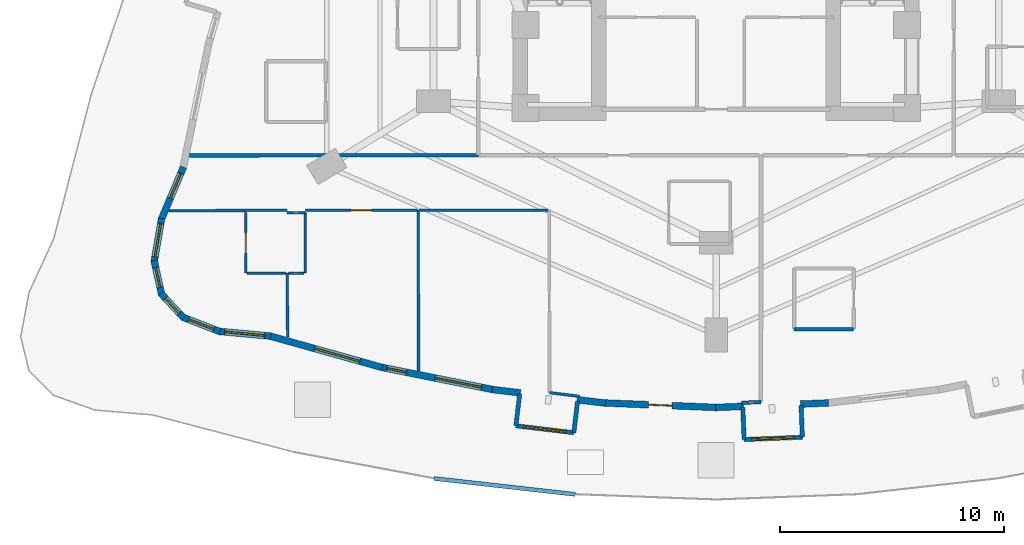
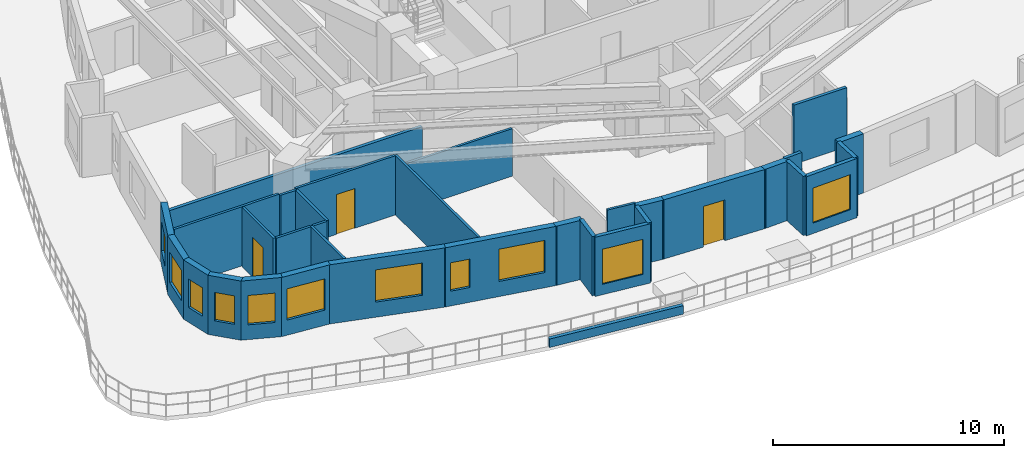
# One storey, part 8 of 17: 34 walls, 11 windows, 3 doors, 14 openings.
"""IFC4 building model written with IfcOpenShell, lengths in metres."""

import ifcopenshell
import ifcopenshell.guid

model = None  # the IFC model being written
_history = None  # IfcOwnerHistory: only IFC2X3 demands one
_inside = {}  # id of a spatial element -> (the spatial element, [elements in it])
_under = {}  # id of a project, library or spatial element -> (it, [spatial elements below it])
_declared = {}  # id of a project -> (the project, [libraries it declares])
_typed = {}  # id of a type object -> (the type object, [elements of that type])
_made_of = {}  # id of a material, layer set ... -> (it, [elements and type objects made of it])


def new_model(schema):
    """Start an empty IFC model of exactly this schema.

    Asked for "IFC4X3", IfcOpenShell would pick the latest addendum, in which some entities
    have other attributes; the version numbers below select the first issue.
    IFC2X3 requires an IfcOwnerHistory on every rooted entity: one is made here for all.
    """
    global model, _history
    if schema == "IFC4X3":
        model = ifcopenshell.file(schema_version=(4, 3, 0, 0))
    else:
        model = ifcopenshell.file(schema=schema)
    _inside.clear()
    _under.clear()
    _declared.clear()
    _typed.clear()
    _made_of.clear()
    _history = None
    if model.schema == "IFC2X3":
        org = make("IfcOrganization", Name="unknown")
        user = make(
            "IfcPersonAndOrganization",
            ThePerson=make("IfcPerson", FamilyName="unknown"),
            TheOrganization=org,
        )
        app = make(
            "IfcApplication",
            ApplicationDeveloper=org,
            Version="unknown",
            ApplicationFullName="unknown",
            ApplicationIdentifier="unknown",
        )
        _history = make(
            "IfcOwnerHistory",
            OwningUser=user,
            OwningApplication=app,
            ChangeAction="ADDED",
            CreationDate=0,
        )
    return model


def make(cls, **values):
    """One entity of the class cls with the attributes given. An attribute that is None is left unset."""
    return model.create_entity(
        cls, **{name: value for name, value in values.items() if value is not None}
    )


def rooted(cls, **values):
    """An entity with a GlobalId (a new one), such as an element, a storey or a relation."""
    return make(cls, GlobalId=ifcopenshell.guid.new(), OwnerHistory=_history, **values)


def si_unit(unit_type, name, prefix=None):
    """IfcSIUnit, for example si_unit("LENGTHUNIT", "METRE", prefix="MILLI")."""
    return make("IfcSIUnit", UnitType=unit_type, Prefix=prefix, Name=name)


def assignment(units):
    """IfcUnitAssignment: the units of a project."""
    return None if units is None else make("IfcUnitAssignment", Units=units)


def point(xyz):
    """IfcCartesianPoint."""
    return None if xyz is None else make("IfcCartesianPoint", Coordinates=xyz)


def direction(xyz):
    """IfcDirection."""
    return None if xyz is None else make("IfcDirection", DirectionRatios=xyz)


def frame(location, z_axis=None, x_axis=None):
    """IfcAxis2Placement3D, a coordinate frame: its origin and axes. An axis left out is left unset."""
    return make(
        "IfcAxis2Placement3D",
        Location=point(location),
        Axis=direction(z_axis),
        RefDirection=direction(x_axis),
    )


def frame_2d(location, x_axis=None):
    """IfcAxis2Placement2D, a coordinate frame in the plane: its origin and x axis."""
    return make(
        "IfcAxis2Placement2D", Location=point(location), RefDirection=direction(x_axis)
    )


def origin():
    """The frame at (0, 0, 0) with its axes left unset."""
    return frame((0.0, 0.0, 0.0))


def place(relative_to, where):
    """IfcLocalPlacement: puts the frame where relative to a parent placement (None: the world)."""
    return make(
        "IfcLocalPlacement", PlacementRelTo=relative_to, RelativePlacement=where
    )


def context(
    kind, dimensions, precision=None, world=None, true_north=None, identifier=None
):
    """IfcGeometricRepresentationContext, for example the 3D "Model" context."""
    return make(
        "IfcGeometricRepresentationContext",
        ContextIdentifier=identifier,
        ContextType=kind,
        CoordinateSpaceDimension=dimensions,
        Precision=precision,
        WorldCoordinateSystem=world,
        TrueNorth=true_north,
    )


def subcontext(parent, identifier, kind, view, scale=None):
    """IfcGeometricRepresentationSubContext, for example "Body" below "Model"."""
    return make(
        "IfcGeometricRepresentationSubContext",
        ContextIdentifier=identifier,
        ContextType=kind,
        ParentContext=parent,
        TargetScale=scale,
        TargetView=view,
    )


def project(units=None, contexts=None):
    """IfcProject with its units and contexts."""
    return rooted(
        "IfcProject",
        Name="project",
        RepresentationContexts=contexts,
        UnitsInContext=assignment(units),
    )


def spatial(cls, under=None, at=None, **own):
    """A site, building, storey or space (cls), placed at a placement, below another one or the project."""
    s = rooted(cls, ObjectPlacement=at, **own)
    if under is not None:
        _under.setdefault(under.id(), (under, []))[1].append(s)
    return s


def profile(cls, at=None, kind="AREA", **sizes):
    """A parametric profile (cls). Its sizes go by their IFC names, for example OverallWidth=200.0."""
    return make(cls, ProfileType=kind, Position=at, **sizes)


def rectangle(**sizes):
    """IfcRectangleProfileDef."""
    return profile("IfcRectangleProfileDef", **sizes)


def extrude(swept, where, along, depth):
    """IfcExtrudedAreaSolid: the profile swept, set in the frame where, extruded along a direction by depth."""
    return make(
        "IfcExtrudedAreaSolid",
        SweptArea=swept,
        Position=where,
        ExtrudedDirection=direction(along),
        Depth=depth,
    )


def shape(context_of_items, identifier, shape_type, items):
    """IfcShapeRepresentation: the items that make up one representation, for example the "Body"."""
    return make(
        "IfcShapeRepresentation",
        ContextOfItems=context_of_items,
        RepresentationIdentifier=identifier,
        RepresentationType=shape_type,
        Items=items,
    )


def material(Name=None, Category=None):
    """IfcMaterial."""
    return make("IfcMaterial", Name=Name, Category=Category)


def layer(
    of_material, thickness, ventilated=None, Name=None, Category=None, Priority=None
):
    """IfcMaterialLayer: one layer of a wall or slab, of a material (None: an air gap)."""
    return make(
        "IfcMaterialLayer",
        Material=of_material,
        LayerThickness=thickness,
        IsVentilated=ventilated,
        Name=Name,
        Category=Category,
        Priority=Priority,
    )


def layer_set(layers, Name=None):
    """IfcMaterialLayerSet."""
    return make("IfcMaterialLayerSet", MaterialLayers=layers, LayerSetName=Name)


def made_of(thing, what):
    """Note that an element or type object is made of a material, layer set ...; save() writes the relation."""
    if what is not None:
        _made_of.setdefault(what.id(), (what, []))[1].append(thing)
    return thing


def type_object(cls, material=None, **own):
    """A type object (cls), such as IfcWallType, which elements share."""
    return made_of(rooted(cls, **own), material)


def element(
    cls,
    number,
    at=None,
    inside=None,
    cuts=None,
    type_object=None,
    material=None,
    context=None,
    identifier="Body",
    shape_type=None,
    held_by="IfcProductDefinitionShape",
    body=None,
    shapes=None,
    **own,
):
    """One element of the class cls, such as IfcWall. Its Tag is "e" and its number.

    at: its placement. inside: the storey or other place that contains it. cuts: it is an
    opening in that element (IfcRelVoidsElement). A single representation is given by context,
    identifier, shape_type and body (its items); several are given by shapes. held_by: the class
    of the entity that holds the representations. save() writes the other relations.
    """
    e = rooted(cls, Tag="e%d" % number, ObjectPlacement=at, **own)
    if body is not None:
        shapes = [shape(context, identifier, shape_type, body)]
    if shapes is not None:
        e.Representation = make(held_by, Representations=shapes)
    if inside is not None:
        _inside.setdefault(inside.id(), (inside, []))[1].append(e)
    if cuts is not None:
        rooted(
            "IfcRelVoidsElement", RelatingBuildingElement=cuts, RelatedOpeningElement=e
        )
    if type_object is not None:
        _typed.setdefault(type_object.id(), (type_object, []))[1].append(e)
    return made_of(e, material)


def fill(opening, filler):
    """IfcRelFillsElement: the door or window that sits in an opening."""
    return rooted(
        "IfcRelFillsElement",
        RelatingOpeningElement=opening,
        RelatedBuildingElement=filler,
    )


def aggregate(whole, parts):
    """IfcRelAggregates: a whole, such as a stair, and the parts it consists of."""
    return rooted("IfcRelAggregates", RelatingObject=whole, RelatedObjects=parts)


def save(model, path):
    """Write the relations noted so far, then the file.

    IfcRelAggregates (storeys below a building ...), IfcRelContainedInSpatialStructure (elements
    in a storey), IfcRelDefinesByType, IfcRelAssociatesMaterial and IfcRelDeclares: one each for
    every whole, place, type object, material and project.
    """
    for whole, parts in _under.values():
        aggregate(whole, parts)
    for where, things in _inside.values():
        rooted(
            "IfcRelContainedInSpatialStructure",
            RelatedElements=things,
            RelatingStructure=where,
        )
    for kind, things in _typed.values():
        rooted("IfcRelDefinesByType", RelatedObjects=things, RelatingType=kind)
    for what, things in _made_of.values():
        rooted("IfcRelAssociatesMaterial", RelatedObjects=things, RelatingMaterial=what)
    for by, libraries in _declared.values():
        rooted("IfcRelDeclares", RelatingContext=by, RelatedDefinitions=libraries)
    model.write(path)


model = new_model("IFC4")

# Units and contexts
model_context = context("Model", 3, precision=1e-05, world=origin(), true_north=direction((0.0, 1.0)))
body_context = subcontext(model_context, "Body", "Model", "MODEL_VIEW")
ifc_project = project(units=[si_unit("LENGTHUNIT", "METRE"), si_unit("AREAUNIT", "SQUARE_METRE"), si_unit("VOLUMEUNIT", "CUBIC_METRE"), si_unit("PLANEANGLEUNIT", "RADIAN"), si_unit("MASSUNIT", "GRAM", prefix="KILO")], contexts=[model_context])

# Site, building, storey
site_placement = place(None, origin())
site = spatial("IfcSite", under=ifc_project, at=site_placement, CompositionType="ELEMENT")
building_placement = place(site_placement, origin())
building = spatial("IfcBuilding", under=site, at=building_placement, Name="Miruveldt Soraemaru", CompositionType="ELEMENT")
storey_placement = place(building_placement, frame((0.0, 0.0, 29.199951171875)))
storey = spatial("IfcBuildingStorey", under=building, at=storey_placement, Name="L07", CompositionType="ELEMENT", Elevation=29.199951171875)

# Walls
ifc_material_1 = material(Name="White powder-coated aluminium EN AW-6060 T6", Category="aluminium")
ifc_layer_1 = layer(ifc_material_1, 0.18994140625, Name="White powder-coated aluminium EN AW-6060 T6", Category="aluminium")
ifc_layer_set_1 = layer_set([ifc_layer_1], Name="White powder-coated aluminium EN AW-6060 T6")
wall_type_1 = type_object("IfcWallType", Name="WALL-BAY-ALU190", PredefinedType="SOLIDWALL", material=ifc_layer_set_1)
wall_1_placement = place(storey_placement, frame((35.244384765625, 22.7529296875, 0.0), z_axis=(0.0, 0.0, 1.0), x_axis=(-0.119057405757, -0.992887372331, 0.0)))
element("IfcWall", 1, at=wall_1_placement, inside=storey, type_object=wall_type_1, Name="L07 Bay Window Side Cheek 4L", PredefinedType="SOLIDWALL", context=body_context, shape_type="SweptSolid", body=[
    extrude(rectangle(XDim=1.42529296875, YDim=0.18994140625, at=frame_2d((0.712646484375, 0.0))), origin(), (0.0, 0.0, 1.0), 3.125),
])
wall_2_placement = place(storey_placement, frame((37.656005859375, 21.0283203125, 0.0), z_axis=(0.0, 0.0, 1.0), x_axis=(0.119077659317, 0.992884943511, 0.0)))
element("IfcWall", 2, at=wall_2_placement, inside=storey, type_object=wall_type_1, Name="L07 Bay Window Side Cheek 4R", PredefinedType="SOLIDWALL", context=body_context, shape_type="SweptSolid", body=[
    extrude(rectangle(XDim=1.425048828125, YDim=0.18994140625, at=frame_2d((0.71240234375, 0.0))), origin(), (0.0, 0.0, 1.0), 3.125),
])

# Wall, opening, window
wall_3_placement = place(storey_placement, frame((35.07470703125, 21.337890625, 0.0), z_axis=(0.0, 0.0, 1.0), x_axis=(0.992885278793, -0.119074863663, 0.0)))
wall_3 = element("IfcWall", 3, at=wall_3_placement, inside=storey, type_object=wall_type_1, Name="L07 Bay Window Front Frame 4", PredefinedType="SOLIDWALL", context=body_context, shape_type="SweptSolid", body=[
    extrude(rectangle(XDim=2.599853515625, YDim=0.18994140625, at=frame_2d((1.2998046875, 0.0))), origin(), (0.0, 0.0, 1.0), 3.125),
])
opening_1_placement = place(wall_3_placement, frame((0.35009765625, 0.0, 0.550048828125)))
opening_1 = element("IfcOpeningElement", 4, at=opening_1_placement, cuts=wall_3, Name="Opening WN-6", PredefinedType="OPENING", context=body_context, shape_type="SweptSolid", body=[
    extrude(rectangle(XDim=1.89990234375, YDim=1.85009765625, at=frame_2d((0.949951171875, 0.925048828125))), frame((0.0, 0.10498046875, 0.0), z_axis=(0.0, -1.0, 0.0), x_axis=(1.0, 0.0, 0.0)), (0.0, 0.0, 1.0), 0.2099609375),
])
ifc_material_2 = material(Name="Triple low-e insulated glazing", Category="glass")
window_type_1 = type_object("IfcWindowType", Name="WIN-BAYW-1900x1850", PartitioningType="SINGLE_PANEL", PredefinedType="WINDOW", material=ifc_material_2)
window_1_placement = place(opening_1_placement, origin())
window_1 = element("IfcWindow", 5, at=window_1_placement, inside=storey, type_object=window_type_1, Name="L07 Projecting Bay Window 4", OverallHeight=1.85009765625, OverallWidth=1.89990234375, PartitioningType="SINGLE_PANEL", PredefinedType="WINDOW", context=body_context, shape_type="SweptSolid", body=[
    extrude(rectangle(XDim=1.89990234375, YDim=1.85009765625, at=frame_2d((0.949951171875, 0.925048828125))), frame((0.0, 0.030029296875, 0.0), z_axis=(0.0, -1.0, 0.0), x_axis=(1.0, 0.0, 0.0)), (0.0, 0.0, 1.0), 0.06005859375),
])
fill(opening_1, window_1)

# Walls
for number, where, z_axis, x_axis, name in (
    (6, (45.189453125, 22.14794921875, 0.0), (0.0, 0.0, 1.0), (0.039920142234, -0.999202873417, 0.0), "L07 Bay Window Side Cheek 5L"),
    (7, (47.84423828125, 20.827880859375, 0.0), (0.0, 0.0, 1.0), (-0.039920142234, 0.999202873417, 0.0), "L07 Bay Window Side Cheek 5R"),
):
    element("IfcWall", number, at=place(storey_placement, frame(where, z_axis=z_axis, x_axis=x_axis)), inside=storey, type_object=wall_type_1, Name=name, PredefinedType="SOLIDWALL", context=body_context, shape_type="SweptSolid", body=[
        extrude(rectangle(XDim=1.425048828125, YDim=0.18994140625, at=frame_2d((0.71240234375, 0.0))), origin(), (0.0, 0.0, 1.0), 3.125),
    ])

# Wall, opening, window
wall_4_placement = place(storey_placement, frame((45.246337890625, 20.72412109375, 0.0), z_axis=(0.0, 0.0, 1.0), x_axis=(0.999203356953, 0.039908037469, 0.0)))
wall_4 = element("IfcWall", 8, at=wall_4_placement, inside=storey, type_object=wall_type_1, Name="L07 Bay Window Front Frame 5", PredefinedType="SOLIDWALL", context=body_context, shape_type="SweptSolid", body=[
    extrude(rectangle(XDim=2.599853515625, YDim=0.18994140625, at=frame_2d((1.2998046875, 0.0))), origin(), (0.0, 0.0, 1.0), 3.125),
])
opening_2_placement = place(wall_4_placement, frame((0.35009765625, 0.0, 0.550048828125)))
opening_2 = element("IfcOpeningElement", 9, at=opening_2_placement, cuts=wall_4, Name="Opening WN-6", PredefinedType="OPENING", context=body_context, shape_type="SweptSolid", body=[
    extrude(rectangle(XDim=1.89990234375, YDim=1.85009765625, at=frame_2d((0.949951171875, 0.925048828125))), frame((0.0, 0.10498046875, 0.0), z_axis=(0.0, -1.0, 0.0), x_axis=(1.0, 0.0, 0.0)), (0.0, 0.0, 1.0), 0.2099609375),
])
window_2_placement = place(opening_2_placement, origin())
window_2 = element("IfcWindow", 10, at=window_2_placement, inside=storey, type_object=window_type_1, Name="L07 Projecting Bay Window 5", OverallHeight=1.85009765625, OverallWidth=1.89990234375, PartitioningType="SINGLE_PANEL", PredefinedType="WINDOW", context=body_context, shape_type="SweptSolid", body=[
    extrude(rectangle(XDim=1.89990234375, YDim=1.85009765625, at=frame_2d((0.949951171875, 0.925048828125))), frame((0.0, 0.030029296875, 0.0), z_axis=(0.0, -1.0, 0.0), x_axis=(1.0, 0.0, 0.0)), (0.0, 0.0, 1.0), 0.06005859375),
])
fill(opening_2, window_2)

ifc_material_3 = material(Name="Precast concrete C45/55 (45 MPa)", Category="concrete")
ifc_layer_2 = layer(ifc_material_3, 0.300048828125, Name="Precast concrete C45/55 (45 MPa)", Category="concrete")
ifc_layer_set_2 = layer_set([ifc_layer_2], Name="Precast concrete C45/55 (45 MPa)")
wall_type_2 = type_object("IfcWallType", Name="WALL-EXT-PC300", PredefinedType="SOLIDWALL", material=ifc_layer_set_2)
wall_5_placement = place(storey_placement, frame((20.25732421875, 32.8720703125, 0.0), z_axis=(0.0, 0.0, 1.0), x_axis=(-0.388671385618, -0.921376445326, 0.0)))
wall_5 = element("IfcWall", 11, at=wall_5_placement, inside=storey, type_object=wall_type_2, Name="L07 Precast Concrete Facade Wall 15", PredefinedType="SOLIDWALL", context=body_context, shape_type="SweptSolid", body=[
    extrude(rectangle(XDim=2.557861328125, YDim=0.300048828125, at=frame_2d((1.27880859375, 0.0))), origin(), (0.0, 0.0, 1.0), 3.125),
])
opening_3_placement = place(wall_5_placement, frame((0.305908203125, 0.0, 0.780029296875)))
opening_3 = element("IfcOpeningElement", 12, at=opening_3_placement, cuts=wall_5, Name="Opening WN-4", PredefinedType="OPENING", context=body_context, shape_type="SweptSolid", body=[
    extrude(rectangle(XDim=1.199951171875, YDim=1.550048828125, at=frame_2d((0.60009765625, 0.77490234375))), frame((0.0, 0.16015625, 0.0), z_axis=(0.0, -1.0, 0.0), x_axis=(1.0, 0.0, 0.0)), (0.0, 0.0, 1.0), 0.320068359375),
])
window_type_2 = type_object("IfcWindowType", Name="WIN-PUNCH-1200x1550", PartitioningType="SINGLE_PANEL", PredefinedType="WINDOW", material=ifc_material_2)
window_3_placement = place(opening_3_placement, origin())
window_3 = element("IfcWindow", 13, at=window_3_placement, inside=storey, type_object=window_type_2, Name="L07 Punched Triple-Glazed Window 15.1", OverallHeight=1.550048828125, OverallWidth=1.199951171875, PartitioningType="SINGLE_PANEL", PredefinedType="WINDOW", context=body_context, shape_type="SweptSolid", body=[
    extrude(rectangle(XDim=1.199951171875, YDim=1.550048828125, at=frame_2d((0.60009765625, 0.77490234375))), frame((0.0, 0.030029296875, 0.0), z_axis=(0.0, -1.0, 0.0), x_axis=(1.0, 0.0, 0.0)), (0.0, 0.0, 1.0), 0.06005859375),
])
fill(opening_3, window_3)

wall_6_placement = place(storey_placement, frame((19.28271484375, 30.58203125, 0.0), z_axis=(0.0, 0.0, 1.0), x_axis=(-0.169272905245, -0.985569218041, 0.0)))
wall_6 = element("IfcWall", 14, at=wall_6_placement, inside=storey, type_object=wall_type_2, Name="L07 Precast Concrete Facade Wall 16", PredefinedType="SOLIDWALL", context=body_context, shape_type="SweptSolid", body=[
    extrude(rectangle(XDim=1.97314453125, YDim=0.300048828125, at=frame_2d((0.986572265625, 0.0))), origin(), (0.0, 0.0, 1.0), 3.125),
])
opening_4_placement = place(wall_6_placement, frame((0.236083984375, 0.0, 0.800048828125)))
opening_4 = element("IfcOpeningElement", 15, at=opening_4_placement, cuts=wall_6, Name="Opening WN-3", PredefinedType="OPENING", context=body_context, shape_type="SweptSolid", body=[
    extrude(rectangle(XDim=1.5, YDim=1.60009765625, at=frame_2d((0.75, 0.800048828125))), frame((0.0, 0.16015625, 0.0), z_axis=(0.0, -1.0, 0.0), x_axis=(1.0, 0.0, 0.0)), (0.0, 0.0, 1.0), 0.320068359375),
])
window_type_3 = type_object("IfcWindowType", Name="WIN-PUNCH-1500x1600", PartitioningType="SINGLE_PANEL", PredefinedType="WINDOW", material=ifc_material_2)
window_4_placement = place(opening_4_placement, origin())
window_4 = element("IfcWindow", 16, at=window_4_placement, inside=storey, type_object=window_type_3, Name="L07 Punched Triple-Glazed Window 16.1", OverallHeight=1.60009765625, OverallWidth=1.5, PartitioningType="SINGLE_PANEL", PredefinedType="WINDOW", context=body_context, shape_type="SweptSolid", body=[
    extrude(rectangle(XDim=1.5, YDim=1.60009765625, at=frame_2d((0.75, 0.800048828125))), frame((0.0, 0.030029296875, 0.0), z_axis=(0.0, -1.0, 0.0), x_axis=(1.0, 0.0, 0.0)), (0.0, 0.0, 1.0), 0.06005859375),
])
fill(opening_4, window_4)

wall_7_placement = place(storey_placement, frame((18.947021484375, 28.706298828125, 0.0), z_axis=(0.0, 0.0, 1.0), x_axis=(0.215707327846, -0.976458062957, 0.0)))
wall_7 = element("IfcWall", 17, at=wall_7_placement, inside=storey, type_object=wall_type_2, Name="L07 Precast Concrete Facade Wall 17", PredefinedType="SOLIDWALL", context=body_context, shape_type="SweptSolid", body=[
    extrude(rectangle(XDim=1.564208984375, YDim=0.300048828125, at=frame_2d((0.7822265625, 0.0))), origin(), (0.0, 0.0, 1.0), 3.125),
])
opening_5_placement = place(wall_7_placement, frame((0.33203125, 0.0, 0.780029296875)))
opening_5 = element("IfcOpeningElement", 18, at=opening_5_placement, cuts=wall_7, Name="Opening WN-7", PredefinedType="OPENING", context=body_context, shape_type="SweptSolid", body=[
    extrude(rectangle(XDim=0.89990234375, YDim=1.5, at=frame_2d((0.449951171875, 0.75))), frame((0.0, 0.16015625, 0.0), z_axis=(0.0, -1.0, 0.0), x_axis=(1.0, 0.0, 0.0)), (0.0, 0.0, 1.0), 0.320068359375),
])
window_type_4 = type_object("IfcWindowType", Name="WIN-PUNCH-900x1500", PartitioningType="SINGLE_PANEL", PredefinedType="WINDOW", material=ifc_material_2)
window_5_placement = place(opening_5_placement, origin())
window_5 = element("IfcWindow", 19, at=window_5_placement, inside=storey, type_object=window_type_4, Name="L07 Punched Triple-Glazed Window 17.1", OverallHeight=1.5, OverallWidth=0.89990234375, PartitioningType="SINGLE_PANEL", PredefinedType="WINDOW", context=body_context, shape_type="SweptSolid", body=[
    extrude(rectangle(XDim=0.89990234375, YDim=1.5, at=frame_2d((0.449951171875, 0.75))), frame((0.0, 0.030029296875, 0.0), z_axis=(0.0, -1.0, 0.0), x_axis=(1.0, 0.0, 0.0)), (0.0, 0.0, 1.0), 0.06005859375),
])
fill(opening_5, window_5)

wall_8_placement = place(storey_placement, frame((19.253173828125, 27.239013671875, 0.0), z_axis=(0.0, 0.0, 1.0), x_axis=(0.680093162968, -0.73312569842, 0.0)))
wall_8 = element("IfcWall", 20, at=wall_8_placement, inside=storey, type_object=wall_type_2, Name="L07 Precast Concrete Facade Wall 18", PredefinedType="SOLIDWALL", context=body_context, shape_type="SweptSolid", body=[
    extrude(rectangle(XDim=1.491455078125, YDim=0.300048828125, at=frame_2d((0.74560546875, 0.0))), origin(), (0.0, 0.0, 1.0), 3.125),
])
opening_6_placement = place(wall_8_placement, frame((0.294921875, 0.0, 0.780029296875)))
opening_6 = element("IfcOpeningElement", 21, at=opening_6_placement, cuts=wall_8, Name="Opening WN-7", PredefinedType="OPENING", context=body_context, shape_type="SweptSolid", body=[
    extrude(rectangle(XDim=0.89990234375, YDim=1.5, at=frame_2d((0.449951171875, 0.75))), frame((0.0, 0.16015625, 0.0), z_axis=(0.0, -1.0, 0.0), x_axis=(1.0, 0.0, 0.0)), (0.0, 0.0, 1.0), 0.320068359375),
])
window_6_placement = place(opening_6_placement, origin())
window_6 = element("IfcWindow", 22, at=window_6_placement, inside=storey, type_object=window_type_4, Name="L07 Punched Triple-Glazed Window 18.1", OverallHeight=1.5, OverallWidth=0.89990234375, PartitioningType="SINGLE_PANEL", PredefinedType="WINDOW", context=body_context, shape_type="SweptSolid", body=[
    extrude(rectangle(XDim=0.89990234375, YDim=1.5, at=frame_2d((0.449951171875, 0.75))), frame((0.0, 0.030029296875, 0.0), z_axis=(0.0, -1.0, 0.0), x_axis=(1.0, 0.0, 0.0)), (0.0, 0.0, 1.0), 0.06005859375),
])
fill(opening_6, window_6)

wall_9_placement = place(storey_placement, frame((20.211181640625, 26.18408203125, 0.0), z_axis=(0.0, 0.0, 1.0), x_axis=(0.932256673609, -0.361797587763, 0.0)))
wall_9 = element("IfcWall", 23, at=wall_9_placement, inside=storey, type_object=wall_type_2, Name="L07 Precast Concrete Facade Wall 19", PredefinedType="SOLIDWALL", context=body_context, shape_type="SweptSolid", body=[
    extrude(rectangle(XDim=1.79833984375, YDim=0.300048828125, at=frame_2d((0.899169921875, 0.0))), origin(), (0.0, 0.0, 1.0), 3.125),
])
opening_7_placement = place(wall_9_placement, frame((0.299072265625, 0.0, 0.780029296875)))
opening_7 = element("IfcOpeningElement", 24, at=opening_7_placement, cuts=wall_9, Name="Opening WN-4", PredefinedType="OPENING", context=body_context, shape_type="SweptSolid", body=[
    extrude(rectangle(XDim=1.199951171875, YDim=1.550048828125, at=frame_2d((0.60009765625, 0.77490234375))), frame((0.0, 0.16015625, 0.0), z_axis=(0.0, -1.0, 0.0), x_axis=(1.0, 0.0, 0.0)), (0.0, 0.0, 1.0), 0.320068359375),
])
window_7_placement = place(opening_7_placement, origin())
window_7 = element("IfcWindow", 25, at=window_7_placement, inside=storey, type_object=window_type_2, Name="L07 Punched Triple-Glazed Window 19.1", OverallHeight=1.550048828125, OverallWidth=1.199951171875, PartitioningType="SINGLE_PANEL", PredefinedType="WINDOW", context=body_context, shape_type="SweptSolid", body=[
    extrude(rectangle(XDim=1.199951171875, YDim=1.550048828125, at=frame_2d((0.60009765625, 0.77490234375))), frame((0.0, 0.030029296875, 0.0), z_axis=(0.0, -1.0, 0.0), x_axis=(1.0, 0.0, 0.0)), (0.0, 0.0, 1.0), 0.06005859375),
])
fill(opening_7, window_7)

wall_10_placement = place(storey_placement, frame((21.8203125, 25.54931640625, 0.0), z_axis=(0.0, 0.0, 1.0), x_axis=(0.995760200103, -0.09198708546, 0.0)))
wall_10 = element("IfcWall", 26, at=wall_10_placement, inside=storey, type_object=wall_type_2, Name="L07 Precast Concrete Facade Wall 20", PredefinedType="SOLIDWALL", context=body_context, shape_type="SweptSolid", body=[
    extrude(rectangle(XDim=2.335693359375, YDim=0.300048828125, at=frame_2d((1.16796875, 0.0))), origin(), (0.0, 0.0, 1.0), 3.125),
])
opening_8_placement = place(wall_10_placement, frame((0.26806640625, 0.0, 0.800048828125)))
opening_8 = element("IfcOpeningElement", 27, at=opening_8_placement, cuts=wall_10, Name="Opening WN-2", PredefinedType="OPENING", context=body_context, shape_type="SweptSolid", body=[
    extrude(rectangle(XDim=1.800048828125, YDim=1.64990234375, at=frame_2d((0.89990234375, 0.824951171875))), frame((0.0, 0.16015625, 0.0), z_axis=(0.0, -1.0, 0.0), x_axis=(1.0, 0.0, 0.0)), (0.0, 0.0, 1.0), 0.320068359375),
])
window_type_5 = type_object("IfcWindowType", Name="WIN-PUNCH-1800x1650", PartitioningType="SINGLE_PANEL", PredefinedType="WINDOW", material=ifc_material_2)
window_8_placement = place(opening_8_placement, origin())
window_8 = element("IfcWindow", 28, at=window_8_placement, inside=storey, type_object=window_type_5, Name="L07 Punched Triple-Glazed Window 20.1", OverallHeight=1.64990234375, OverallWidth=1.800048828125, PartitioningType="SINGLE_PANEL", PredefinedType="WINDOW", context=body_context, shape_type="SweptSolid", body=[
    extrude(rectangle(XDim=1.800048828125, YDim=1.64990234375, at=frame_2d((0.89990234375, 0.824951171875))), frame((0.0, 0.030029296875, 0.0), z_axis=(0.0, -1.0, 0.0), x_axis=(1.0, 0.0, 0.0)), (0.0, 0.0, 1.0), 0.06005859375),
])
fill(opening_8, window_8)

wall_11_placement = place(storey_placement, frame((24.077392578125, 25.34716796875, 0.0), z_axis=(0.0, 0.0, 1.0), x_axis=(0.962961112649, -0.269640307679, 0.0)))
wall_11 = element("IfcWall", 29, at=wall_11_placement, inside=storey, type_object=wall_type_2, Name="L07 Precast Concrete Facade Wall 21", PredefinedType="SOLIDWALL", context=body_context, shape_type="SweptSolid", body=[
    extrude(rectangle(XDim=5.2333984375, YDim=0.300048828125, at=frame_2d((2.61669921875, 0.0))), origin(), (0.0, 0.0, 1.0), 3.125),
])
opening_9_placement = place(wall_11_placement, frame((2.091064453125, 0.0, 0.800048828125)))
opening_9 = element("IfcOpeningElement", 30, at=opening_9_placement, cuts=wall_11, Name="Opening WN-1", PredefinedType="OPENING", context=body_context, shape_type="SweptSolid", body=[
    extrude(rectangle(XDim=2.10009765625, YDim=1.699951171875, at=frame_2d((1.050048828125, 0.85009765625))), frame((0.0, 0.16015625, 0.0), z_axis=(0.0, -1.0, 0.0), x_axis=(1.0, 0.0, 0.0)), (0.0, 0.0, 1.0), 0.320068359375),
])
window_type_6 = type_object("IfcWindowType", Name="WIN-PUNCH-2100x1700", PartitioningType="SINGLE_PANEL", PredefinedType="WINDOW", material=ifc_material_2)
window_9_placement = place(opening_9_placement, origin())
window_9 = element("IfcWindow", 31, at=window_9_placement, inside=storey, type_object=window_type_6, Name="L07 Punched Triple-Glazed Window 21.1", OverallHeight=1.699951171875, OverallWidth=2.10009765625, PartitioningType="SINGLE_PANEL", PredefinedType="WINDOW", context=body_context, shape_type="SweptSolid", body=[
    extrude(rectangle(XDim=2.10009765625, YDim=1.699951171875, at=frame_2d((1.050048828125, 0.85009765625))), frame((0.0, 0.030029296875, 0.0), z_axis=(0.0, -1.0, 0.0), x_axis=(1.0, 0.0, 0.0)), (0.0, 0.0, 1.0), 0.06005859375),
])
fill(opening_9, window_9)

# Wall, openings, windows
wall_12_placement = place(storey_placement, frame((29.048828125, 23.952392578125, 0.0), z_axis=(0.0, 0.0, 1.0), x_axis=(0.980577022431, -0.196134400554, 0.0)))
wall_12 = element("IfcWall", 32, at=wall_12_placement, inside=storey, type_object=wall_type_2, Name="L07 Precast Concrete Facade Wall 22", PredefinedType="SOLIDWALL", context=body_context, shape_type="SweptSolid", body=[
    extrude(rectangle(XDim=5.140869140625, YDim=0.300048828125, at=frame_2d((2.5703125, 0.0))), origin(), (0.0, 0.0, 1.0), 3.125),
])
opening_10_placement = place(wall_12_placement, frame((0.27392578125, 0.0, 0.780029296875)))
opening_10 = element("IfcOpeningElement", 33, at=opening_10_placement, cuts=wall_12, Name="Opening WN-7", PredefinedType="OPENING", context=body_context, shape_type="SweptSolid", body=[
    extrude(rectangle(XDim=0.89990234375, YDim=1.5, at=frame_2d((0.449951171875, 0.75))), frame((0.0, 0.16015625, 0.0), z_axis=(0.0, -1.0, 0.0), x_axis=(1.0, 0.0, 0.0)), (0.0, 0.0, 1.0), 0.320068359375),
])
opening_11_placement = place(wall_12_placement, frame((2.485107421875, 0.0, 0.800048828125)))
opening_11 = element("IfcOpeningElement", 34, at=opening_11_placement, cuts=wall_12, Name="Opening WN-1", PredefinedType="OPENING", context=body_context, shape_type="SweptSolid", body=[
    extrude(rectangle(XDim=2.10009765625, YDim=1.699951171875, at=frame_2d((1.050048828125, 0.85009765625))), frame((0.0, 0.16015625, 0.0), z_axis=(0.0, -1.0, 0.0), x_axis=(1.0, 0.0, 0.0)), (0.0, 0.0, 1.0), 0.320068359375),
])
window_10_placement = place(opening_11_placement, origin())
window_10 = element("IfcWindow", 35, at=window_10_placement, inside=storey, type_object=window_type_6, Name="L07 Punched Triple-Glazed Window 22.2", OverallHeight=1.699951171875, OverallWidth=2.10009765625, PartitioningType="SINGLE_PANEL", PredefinedType="WINDOW", context=body_context, shape_type="SweptSolid", body=[
    extrude(rectangle(XDim=2.10009765625, YDim=1.699951171875, at=frame_2d((1.050048828125, 0.85009765625))), frame((0.0, 0.030029296875, 0.0), z_axis=(0.0, -1.0, 0.0), x_axis=(1.0, 0.0, 0.0)), (0.0, 0.0, 1.0), 0.06005859375),
])
fill(opening_11, window_10)
window_11_placement = place(opening_10_placement, origin())
window_11 = element("IfcWindow", 36, at=window_11_placement, inside=storey, type_object=window_type_4, Name="L07 Punched Triple-Glazed Window 22.1", OverallHeight=1.5, OverallWidth=0.89990234375, PartitioningType="SINGLE_PANEL", PredefinedType="WINDOW", context=body_context, shape_type="SweptSolid", body=[
    extrude(rectangle(XDim=0.89990234375, YDim=1.5, at=frame_2d((0.449951171875, 0.75))), frame((0.0, 0.030029296875, 0.0), z_axis=(0.0, -1.0, 0.0), x_axis=(1.0, 0.0, 0.0)), (0.0, 0.0, 1.0), 0.06005859375),
])
fill(opening_10, window_11)

# Walls
for number, where, z_axis, x_axis, name in (
    (37, (34.020751953125, 22.955078125, 0.0), (0.0, 0.0, 1.0), (0.992884119236, -0.11908453203, 0.0), "L07 Precast Pier Wall 23A"),
    (38, (37.802490234375, 22.50146484375, 0.0), (0.0, 0.0, 1.0), (0.992861354933, -0.119274179434, 0.0), "L07 Precast Pier Wall 23B"),
):
    element("IfcWall", number, at=place(storey_placement, frame(where, z_axis=z_axis, x_axis=x_axis)), inside=storey, type_object=wall_type_2, Name=name, PredefinedType="SOLIDWALL", context=body_context, shape_type="SweptSolid", body=[
        extrude(rectangle(XDim=1.26904296875, YDim=0.300048828125, at=frame_2d((0.634521484375, 0.0))), origin(), (0.0, 0.0, 1.0), 3.125),
    ])

# Wall, opening, door
wall_13_placement = place(storey_placement, frame((38.99267578125, 22.355712890625, 0.0), z_axis=(0.0, 0.0, 1.0), x_axis=(0.99920119056, -0.03996224197, 0.0)))
wall_13 = element("IfcWall", 39, at=wall_13_placement, inside=storey, type_object=wall_type_2, Name="L07 Precast Concrete Facade Wall 24", PredefinedType="SOLIDWALL", context=body_context, shape_type="SweptSolid", body=[
    extrude(rectangle(XDim=5.04638671875, YDim=0.300048828125, at=frame_2d((2.523193359375, 0.0))), origin(), (0.0, 0.0, 1.0), 3.125),
])
opening_12_placement = place(wall_13_placement, frame((1.998046875, 0.0, 0.0)))
opening_12 = element("IfcOpeningElement", 40, at=opening_12_placement, cuts=wall_13, Name="Opening TD-1", PredefinedType="OPENING", context=body_context, shape_type="SweptSolid", body=[
    extrude(rectangle(XDim=1.050048828125, YDim=2.14990234375, at=frame_2d((0.52490234375, 1.074951171875))), frame((0.0, 0.16015625, 0.0), z_axis=(0.0, -1.0, 0.0), x_axis=(1.0, 0.0, 0.0)), (0.0, 0.0, 1.0), 0.320068359375),
])
ifc_material_4 = material(Name="Anodised aluminium EN AW-6063 T6", Category="aluminium")
door_type_1 = type_object("IfcDoorType", Name="DOOR-TER-1050", OperationType="NOTDEFINED", PredefinedType="DOOR", material=ifc_material_4)
door_1_placement = place(opening_12_placement, frame((1.050048828125, 0.0, 0.0), z_axis=(0.0, 0.0, 1.0), x_axis=(-1.0, 0.0, 0.0)))
door_1 = element("IfcDoor", 41, at=door_1_placement, inside=storey, type_object=door_type_1, Name="L07 Terrace Access Glazed Door 24", OperationType="SINGLE_SWING_LEFT", OverallHeight=2.14990234375, OverallWidth=1.050048828125, PredefinedType="DOOR", context=body_context, shape_type="SweptSolid", body=[
    extrude(rectangle(XDim=1.050048828125, YDim=2.14990234375, at=frame_2d((0.52490234375, 1.074951171875))), frame((0.0, 0.02490234375, 0.0), z_axis=(0.0, -1.0, 0.0), x_axis=(1.0, 0.0, 0.0)), (0.0, 0.0, 1.0), 0.050048828125),
])
fill(opening_12, door_1)

# Walls
for number, where, z_axis, x_axis, name in (
    (42, (43.965087890625, 22.154052734375, 0.0), (0.0, 0.0, 1.0), (0.999202203057, 0.039936917845, 0.0), "L07 Precast Pier Wall 25A"),
    (43, (47.755126953125, 22.3056640625, 0.0), (0.0, 0.0, 1.0), (0.999202203057, 0.039936917845, 0.0), "L07 Precast Pier Wall 25B"),
):
    element("IfcWall", number, at=place(storey_placement, frame(where, z_axis=z_axis, x_axis=x_axis)), inside=storey, type_object=wall_type_2, Name=name, PredefinedType="SOLIDWALL", context=body_context, shape_type="SweptSolid", body=[
        extrude(rectangle(XDim=1.253173828125, YDim=0.300048828125, at=frame_2d((0.62646484375, 0.0))), origin(), (0.0, 0.0, 1.0), 3.125),
    ])

# Wall, opening, door
ifc_material_5 = material(Name="Gypsum plasterboard lining", Category="gypsum")
ifc_layer_3 = layer(ifc_material_5, 0.1201171875, Name="Gypsum plasterboard lining", Category="gypsum")
ifc_layer_set_3 = layer_set([ifc_layer_3], Name="Gypsum plasterboard lining")
wall_type_3 = type_object("IfcWallType", Name="WALL-INT-P120", PredefinedType="PARTITIONING", material=ifc_layer_set_3)
wall_14_placement = place(storey_placement, frame((25.69189453125, 30.949951171875, 0.0), z_axis=(0.0, 0.0, 1.0), x_axis=(1.0, 0.0, 0.0)))
wall_14 = element("IfcWall", 44, at=wall_14_placement, inside=storey, type_object=wall_type_3, Name="L07 Partition Wall 93", PredefinedType="PARTITIONING", context=body_context, shape_type="SweptSolid", body=[
    extrude(rectangle(XDim=4.968017578125, YDim=0.1201171875, at=frame_2d((2.48388671875, 0.0))), origin(), (0.0, 0.0, 1.0), 3.125),
])
opening_13_placement = place(wall_14_placement, frame((2.02392578125, 0.0, 0.0)))
opening_13 = element("IfcOpeningElement", 45, at=opening_13_placement, cuts=wall_14, Name="Opening D3A", PredefinedType="OPENING", context=body_context, shape_type="SweptSolid", body=[
    extrude(rectangle(XDim=0.919921875, YDim=2.10009765625, at=frame_2d((0.4599609375, 1.050048828125))), frame((0.0, 0.070068359375, 0.0), z_axis=(0.0, -1.0, 0.0), x_axis=(1.0, 0.0, 0.0)), (0.0, 0.0, 1.0), 0.14013671875),
])
door_type_2 = type_object("IfcDoorType", Name="DOOR-INT-920", OperationType="NOTDEFINED", PredefinedType="DOOR", material=ifc_material_4)
door_2_placement = place(opening_13_placement, origin())
door_2 = element("IfcDoor", 46, at=door_2_placement, inside=storey, type_object=door_type_2, Name="L07 Unit 0708 BD2 Door", OperationType="SINGLE_SWING_LEFT", OverallHeight=2.10009765625, OverallWidth=0.919921875, PredefinedType="DOOR", context=body_context, shape_type="SweptSolid", body=[
    extrude(rectangle(XDim=0.919921875, YDim=2.10009765625, at=frame_2d((0.4599609375, 1.050048828125))), frame((0.0, 0.02490234375, 0.0), z_axis=(0.0, -1.0, 0.0), x_axis=(1.0, 0.0, 0.0)), (0.0, 0.0, 1.0), 0.050048828125),
])
fill(opening_13, door_2)

wall_15_placement = place(storey_placement, frame((23.033935546875, 30.837890625, 0.0), z_axis=(0.0, 0.0, 1.0), x_axis=(0.0, -1.0, 0.0)))
wall_15 = element("IfcWall", 47, at=wall_15_placement, inside=storey, type_object=wall_type_3, Name="L07 Partition Wall 89", PredefinedType="PARTITIONING", context=body_context, shape_type="SweptSolid", body=[
    extrude(rectangle(XDim=2.699951171875, YDim=0.1201171875, at=frame_2d((1.35009765625, 0.0))), origin(), (0.0, 0.0, 1.0), 3.125),
])
opening_14_placement = place(wall_15_placement, frame((0.889892578125, 0.0, 0.0)))
opening_14 = element("IfcOpeningElement", 48, at=opening_14_placement, cuts=wall_15, Name="Opening D3A", PredefinedType="OPENING", context=body_context, shape_type="SweptSolid", body=[
    extrude(rectangle(XDim=0.919921875, YDim=2.10009765625, at=frame_2d((0.4599609375, 1.050048828125))), frame((0.0, 0.070068359375, 0.0), z_axis=(0.0, -1.0, 0.0), x_axis=(1.0, 0.0, 0.0)), (0.0, 0.0, 1.0), 0.14013671875),
])
door_3_placement = place(opening_14_placement, origin())
door_3 = element("IfcDoor", 49, at=door_3_placement, inside=storey, type_object=door_type_2, Name="L07 Unit 0708 BD1 Door", OperationType="SINGLE_SWING_RIGHT", OverallHeight=2.10009765625, OverallWidth=0.919921875, PredefinedType="DOOR", context=body_context, shape_type="SweptSolid", body=[
    extrude(rectangle(XDim=0.919921875, YDim=2.10009765625, at=frame_2d((0.4599609375, 1.050048828125))), frame((0.0, 0.02490234375, 0.0), z_axis=(0.0, -1.0, 0.0), x_axis=(1.0, 0.0, 0.0)), (0.0, 0.0, 1.0), 0.050048828125),
])
fill(opening_14, door_3)

# Walls
wall_16_placement = place(storey_placement, frame((30.737060546875, 23.782958984375, 0.0), z_axis=(0.0, 0.0, 1.0), x_axis=(-0.002384514273, 0.999997157042, 0.0)))
element("IfcWall", 50, at=wall_16_placement, inside=storey, type_object=wall_type_3, Name="L07 Partition Wall 98", PredefinedType="PARTITIONING", context=body_context, shape_type="SweptSolid", body=[
    extrude(rectangle(XDim=7.1669921875, YDim=0.1201171875, at=frame_2d((3.58349609375, 0.0))), origin(), (0.0, 0.0, 1.0), 3.125),
])
wall_17_placement = place(storey_placement, frame((30.780029296875, 30.949951171875, 0.0), z_axis=(0.0, 0.0, 1.0), x_axis=(1.0, 0.0, 0.0)))
element("IfcWall", 51, at=wall_17_placement, inside=storey, type_object=wall_type_3, Name="L07 Partition Wall 94", PredefinedType="PARTITIONING", context=body_context, shape_type="SweptSolid", body=[
    extrude(rectangle(XDim=5.722900390625, YDim=0.1201171875, at=frame_2d((2.861328125, 0.0))), origin(), (0.0, 0.0, 1.0), 2.512939453125),
])
wall_18_placement = place(storey_placement, frame((19.612060546875, 30.9169921875, 0.0), z_axis=(0.0, 0.0, 1.0), x_axis=(0.999980413143, 0.006258860206, 0.0)))
element("IfcWall", 52, at=wall_18_placement, inside=storey, type_object=wall_type_3, Name="L07 Partition Wall 109", PredefinedType="PARTITIONING", context=body_context, shape_type="SweptSolid", body=[
    extrude(rectangle(XDim=5.265869140625, YDim=0.1201171875, at=frame_2d((2.6328125, 0.0))), origin(), (0.0, 0.0, 1.0), 3.125),
])
wall_19_placement = place(storey_placement, frame((24.90087890625, 25.2880859375, 0.0), z_axis=(0.0, 0.0, 1.0), x_axis=(-0.008052510266, 0.999967578014, 0.0)))
element("IfcWall", 53, at=wall_19_placement, inside=storey, type_object=wall_type_3, Name="L07 Partition Wall 97", PredefinedType="PARTITIONING", context=body_context, shape_type="SweptSolid", body=[
    extrude(rectangle(XDim=2.849853515625, YDim=0.1201171875, at=frame_2d((1.4248046875, 0.0))), origin(), (0.0, 0.0, 1.0), 3.125),
])
wall_20_placement = place(storey_placement, frame((25.68408203125, 28.137939453125, 0.0), z_axis=(0.0, 0.0, 1.0), x_axis=(0.0, 1.0, 0.0)))
element("IfcWall", 54, at=wall_20_placement, inside=storey, type_object=wall_type_3, Name="L07 Partition Wall 92", PredefinedType="PARTITIONING", context=body_context, shape_type="SweptSolid", body=[
    extrude(rectangle(XDim=2.699951171875, YDim=0.1201171875, at=frame_2d((1.35009765625, 0.0))), origin(), (0.0, 0.0, 1.0), 3.125),
])
wall_21_placement = place(storey_placement, frame((23.093994140625, 28.137939453125, 0.0), z_axis=(0.0, 0.0, 1.0), x_axis=(1.0, 0.0, 0.0)))
element("IfcWall", 55, at=wall_21_placement, inside=storey, type_object=wall_type_3, Name="L07 Partition Wall 90", PredefinedType="PARTITIONING", context=body_context, shape_type="SweptSolid", body=[
    extrude(rectangle(XDim=1.72412109375, YDim=0.1201171875, at=frame_2d((0.862060546875, 0.0))), origin(), (0.0, 0.0, 1.0), 3.125),
])
wall_22_placement = place(storey_placement, frame((36.572998046875, 22.81494140625, 0.0), z_axis=(0.0, 0.0, 1.0), x_axis=(0.992252596195, -0.124236811548, 0.0)))
element("IfcWall", 56, at=wall_22_placement, inside=storey, type_object=wall_type_3, Name="L07 Partition Closure Return 1", PredefinedType="PARTITIONING", context=body_context, shape_type="SweptSolid", body=[
    extrude(rectangle(XDim=1.338134765625, YDim=0.1201171875, at=frame_2d((0.6689453125, 0.0))), origin(), (0.0, 0.0, 1.0), 3.125),
])
wall_23_placement = place(storey_placement, frame((25.68408203125, 30.837890625, 0.0), z_axis=(0.0, 0.0, 1.0), x_axis=(-1.0, 0.0, 0.0)))
element("IfcWall", 57, at=wall_23_placement, inside=storey, type_object=wall_type_3, Name="L07 Partition Wall 110", PredefinedType="PARTITIONING", context=body_context, shape_type="SweptSolid", body=[
    extrude(rectangle(XDim=0.80615234375, YDim=0.1201171875, at=frame_2d((0.403076171875, 0.0))), origin(), (0.0, 0.0, 1.0), 3.125),
])
wall_24_placement = place(storey_placement, frame((24.93798828125, 28.137939453125, 0.0), z_axis=(0.0, 0.0, 1.0), x_axis=(1.0, 0.0, 0.0)))
element("IfcWall", 58, at=wall_24_placement, inside=storey, type_object=wall_type_3, Name="L07 Partition Wall 91", PredefinedType="PARTITIONING", context=body_context, shape_type="SweptSolid", body=[
    extrude(rectangle(XDim=0.68603515625, YDim=0.1201171875, at=frame_2d((0.343017578125, 0.0))), origin(), (0.0, 0.0, 1.0), 3.125),
])
ifc_layer_4 = layer(ifc_material_5, 0.14990234375, Name="Gypsum plasterboard lining", Category="gypsum")
ifc_layer_set_4 = layer_set([ifc_layer_4], Name="Gypsum plasterboard lining")
wall_type_4 = type_object("IfcWallType", Name="WALL-INT-PLUMB", PredefinedType="PLUMBINGWALL", material=ifc_layer_set_4)
wall_25_placement = place(storey_placement, frame((47.47998046875, 25.64794921875, 0.0), z_axis=(0.0, 0.0, 1.0), x_axis=(1.0, 0.0, 0.0)))
element("IfcWall", 59, at=wall_25_placement, inside=storey, type_object=wall_type_4, Name="L07 Partition Wall 102", PredefinedType="PLUMBINGWALL", context=body_context, shape_type="SweptSolid", body=[
    extrude(rectangle(XDim=2.64990234375, YDim=0.14990234375, at=frame_2d((1.324951171875, 0.0))), origin(), (0.0, 0.0, 1.0), 3.125),
])
ifc_material_6 = material(Name="Concrete C40/50 (40 MPa)", Category="concrete")
ifc_layer_5 = layer(ifc_material_6, 0.159912109375, Name="Concrete C40/50 (40 MPa)", Category="concrete")
ifc_layer_set_5 = layer_set([ifc_layer_5], Name="Concrete C40/50 (40 MPa)")
wall_type_5 = type_object("IfcWallType", Name="WALL-INT-RC160", PredefinedType="SOLIDWALL", material=ifc_layer_set_5)
wall_26_placement = place(storey_placement, frame((20.52392578125, 33.384033203125, 0.0), z_axis=(0.0, 0.0, 1.0), x_axis=(0.9999992417, 0.001231502827, 0.0)))
element("IfcWall", 60, at=wall_26_placement, inside=storey, type_object=wall_type_5, Name="L07 Partition Wall 63", PredefinedType="SOLIDWALL", context=body_context, shape_type="SweptSolid", body=[
    extrude(rectangle(XDim=12.885986328125, YDim=0.159912109375, at=frame_2d((6.44287109375, 0.0))), origin(), (0.0, 0.0, 1.0), 2.219970703125),
])
wall_27_placement = place(storey_placement, frame((45.9970703125, 22.39990234375, 0.0), z_axis=(0.0, 0.0, 1.0), x_axis=(-0.998880840972, -0.047297627194, 0.0)))
element("IfcWall", 61, at=wall_27_placement, inside=storey, type_object=wall_type_5, Name="L07 Partition Closure Return 2", PredefinedType="SOLIDWALL", context=body_context, shape_type="SweptSolid", body=[
    extrude(rectangle(XDim=0.8671875, YDim=0.159912109375, at=frame_2d((0.43359375, 0.0))), origin(), (0.0, 0.0, 1.0), 3.125),
])
ifc_layer_6 = layer(ifc_material_3, 0.179931640625, Name="Precast concrete C45/55 (45 MPa)", Category="concrete")
ifc_layer_set_6 = layer_set([ifc_layer_6], Name="Precast concrete C45/55 (45 MPa)")
wall_type_6 = type_object("IfcWallType", Name="WALL-PAR-180", PredefinedType="PARAPET", material=ifc_layer_set_6)
wall_28_placement = place(storey_placement, frame((31.439208984375, 18.98583984375, 0.0), z_axis=(0.0, 0.0, 1.0), x_axis=(0.993731101576, -0.111796680453, 0.0)))
element("IfcWall", 62, at=wall_28_placement, inside=storey, type_object=wall_type_6, Name="L07 Terrace Upstand Parapet 22", PredefinedType="PARAPET", context=body_context, shape_type="SweptSolid", body=[
    extrude(rectangle(XDim=6.31982421875, YDim=0.179931640625, at=frame_2d((3.159912109375, 0.0))), origin(), (0.0, 0.0, 1.0), 0.449951171875),
])

save(model, "model.ifc")
